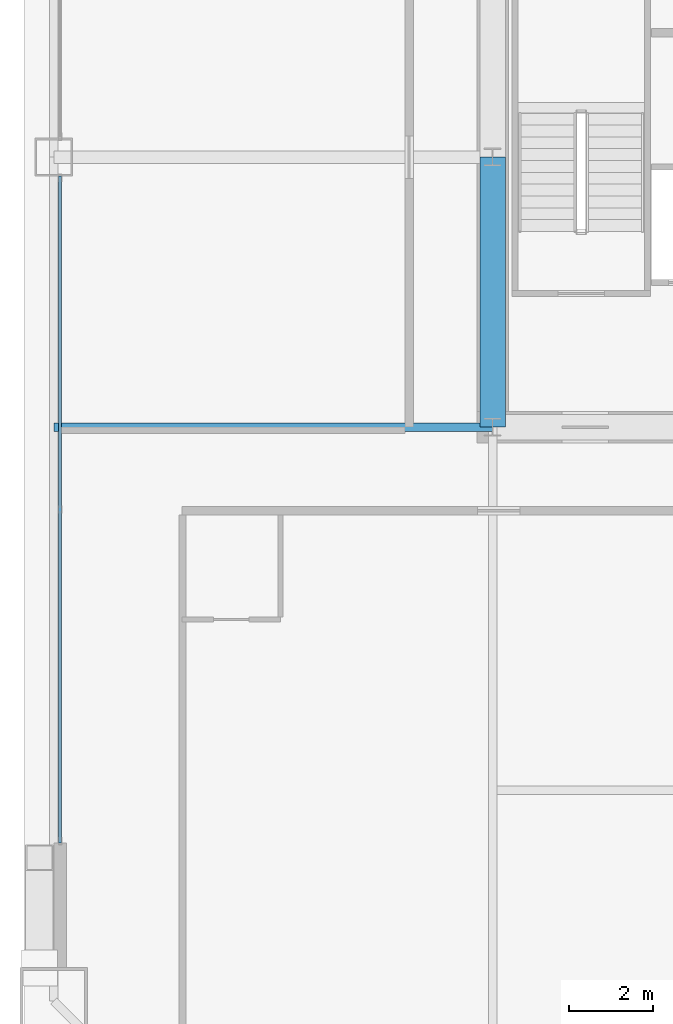
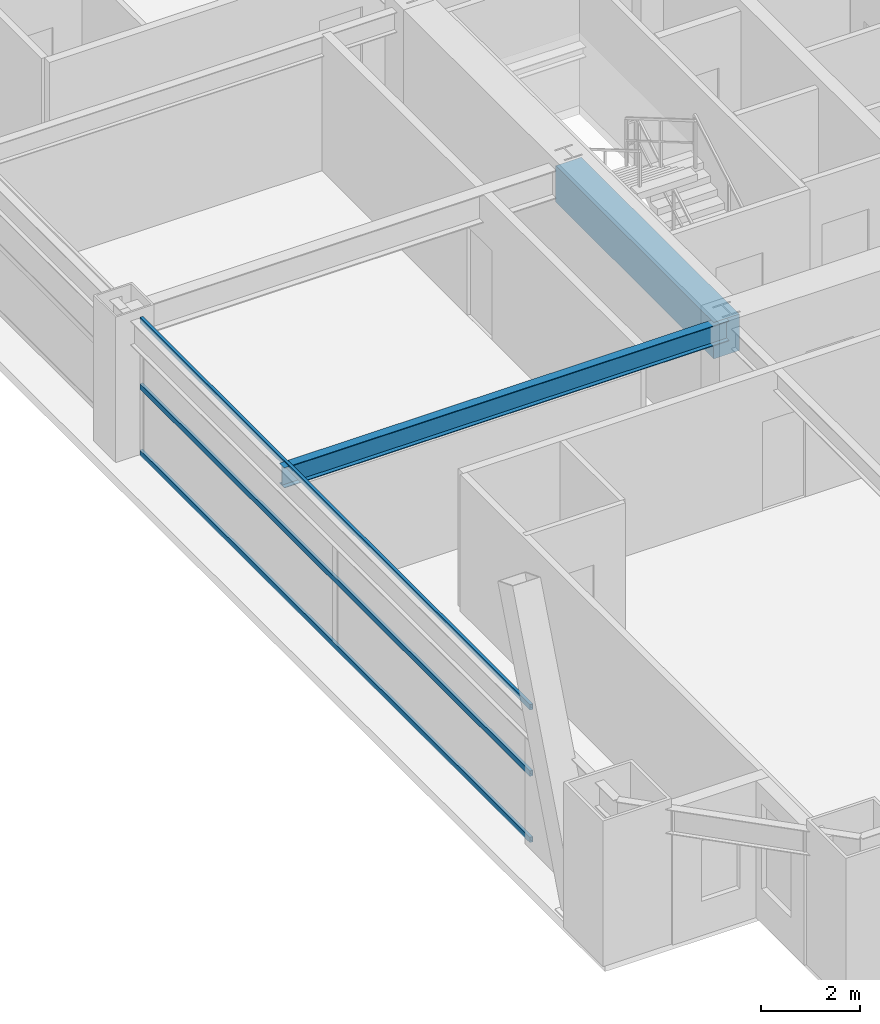
# One storey, part 11 of 43: 3 members, 2 beams, 1 element without a shape of its own.
"""IFC4 building model written with IfcOpenShell, lengths in metres."""

from ifc_helpers import new_model, si_unit, direction, frame, origin, origin_2d, place, context, subcontext, project, spatial, rectangle, hollow_rectangle, i_section, extrude, source, transform, mapped, material, layer, layer_set, material_profile, profile_set, type_object, element, aggregate, save


model = new_model("IFC4")

# Units and contexts
model_context = context("Model", 3, precision=1e-05, world=origin(), true_north=direction((0.0, 1.0)))
body_context = subcontext(model_context, "Body", "Model", "MODEL_VIEW")
ifc_project = project(units=[si_unit("LENGTHUNIT", "METRE"), si_unit("AREAUNIT", "SQUARE_METRE"), si_unit("VOLUMEUNIT", "CUBIC_METRE"), si_unit("PLANEANGLEUNIT", "RADIAN"), si_unit("MASSUNIT", "GRAM", prefix="KILO"), si_unit("THERMODYNAMICTEMPERATUREUNIT", "KELVIN"), si_unit("POWERUNIT", "WATT")], contexts=[model_context])

# Site, building, storey
site_placement = place(None, origin())
site = spatial("IfcSite", under=ifc_project, at=site_placement, CompositionType="ELEMENT")
building_placement = place(site_placement, origin())
building = spatial("IfcBuilding", under=site, at=building_placement, Name="Yuzanri Waterfront Tower", CompositionType="ELEMENT")
storey_placement = place(building_placement, frame((0.0, 0.0, 101.0)))
storey = spatial("IfcBuildingStorey", under=building, at=storey_placement, Name="L26", CompositionType="ELEMENT", Elevation=101.0)

# Beams
ifc_material_1 = material(Name="Concrete C60", Category="concrete")
ifc_material_profile_1 = material_profile(ifc_material_1, rectangle(XDim=0.60009765625, YDim=0.89990234375, at=origin_2d()), Name="RC 600x900")
ifc_profile_set_1 = profile_set([ifc_material_profile_1], Name="Concrete C60")
beam_type_1 = type_object("IfcBeamType", Name="Core Coupling Lintel Concrete C60 600x900", PredefinedType="LINTEL", material=ifc_profile_set_1)
shared_shape_1 = source(origin(), body_context, "Body", "SweptSolid", [
    extrude(rectangle(XDim=0.60009765625, YDim=0.89990234375, at=origin_2d()), origin(), (0.0, 0.0, 1.0), 6.400146484375),
])
beam_1_placement = place(storey_placement, frame((23.800048828125, 19.39990234375, 2.929931640625), z_axis=(0.0, 1.0, 0.0), x_axis=(-1.0, 0.0, 0.0)))
element("IfcBeam", 1, at=beam_1_placement, inside=storey, type_object=beam_type_1, Name="L26 Core Tie Beam CW1", PredefinedType="LINTEL", context=body_context, shape_type="MappedRepresentation", body=[
    mapped(shared_shape_1, transform((0.0, 0.0, 0.0), scale=1.0)),
])
ifc_material_2 = material(Name="Steel Q355B", Category="steel")
ifc_material_profile_2 = material_profile(ifc_material_2, i_section(OverallWidth=0.199951171875, OverallDepth=0.5, WebThickness=0.010009765625, FlangeThickness=0.01611328125, at=origin_2d()), Name="HN 500x200x10x16")
ifc_profile_set_2 = profile_set([ifc_material_profile_2], Name="Steel Q355B")
beam_type_2 = type_object("IfcBeamType", Name="Secondary Floor Beam Q355B HN 500x200", PredefinedType="BEAM", material=ifc_profile_set_2)
shared_shape_2 = source(origin(), body_context, "Body", "SweptSolid", [
    extrude(i_section(OverallWidth=0.199951171875, OverallDepth=0.5, WebThickness=0.010009765625, FlangeThickness=0.01611328125, at=origin_2d()), origin(), (0.0, 0.0, 1.0), 10.400146484375),
])
beam_2_placement = place(storey_placement, frame((23.800048828125, 19.39990234375, 3.1298828125), z_axis=(-1.0, 0.0, 0.0), x_axis=(0.0, -1.0, 0.0)))
element("IfcBeam", 2, at=beam_2_placement, inside=storey, type_object=beam_type_2, Name="L26 West-South Core Line Beam", PredefinedType="BEAM", context=body_context, shape_type="MappedRepresentation", body=[
    mapped(shared_shape_2, transform((0.0, 0.0, 0.0), scale=1.0)),
])

# Curtain wall, members
ifc_material_3 = material(Name="Anodized Architectural Bronze", Category="metal")
ifc_layer = layer(ifc_material_3, 0.159912109375)
ifc_layer_set = layer_set([ifc_layer], Name="Anodized Architectural Bronze")
curtain_wall_type = type_object("IfcCurtainWallType", Name="Anodized Bronze Hotel Upper-Tier Solar-Control Unitized Curtain Wall 7800", PredefinedType="NOTDEFINED", material=ifc_layer_set)
curtain_wall_placement = place(storey_placement, origin())
curtain_wall = element("IfcCurtainWall", 3, at=curtain_wall_placement, inside=storey, type_object=curtain_wall_type, Name="L26 Curtain Wall CW-L26-WL", PredefinedType="NOTDEFINED")
ifc_material_4 = material(Name="Anodized Architectural Bronze", Category="metal")
ifc_material_profile_3 = material_profile(ifc_material_4, hollow_rectangle(XDim=0.070068359375, YDim=0.135009765625, WallThickness=0.00341796875, at=origin_2d()), Name="CWT 70x135")
ifc_profile_set_3 = profile_set([ifc_material_profile_3], Name="Anodized Architectural Bronze")
member_type = type_object("IfcMemberType", Name="Anodized Bronze Standard Curtain-Wall Transom 70x135", PredefinedType="USERDEFINED", material=ifc_profile_set_3)
shared_shape_3 = source(origin(), body_context, "Body", "SweptSolid", [
    extrude(hollow_rectangle(XDim=0.070068359375, YDim=0.135009765625, WallThickness=0.00341796875, at=origin_2d()), origin(), (0.0, 0.0, 1.0), 15.800048828125),
])
member_1_placement = place(storey_placement, frame((13.550048828125, 9.550048828125, 0.050048828125), z_axis=(0.0, 1.0, 0.0), x_axis=(-1.0, 0.0, 0.0)))
member_1 = element("IfcMember", 4, at=member_1_placement, type_object=member_type, Name="CW-L26-WL Transom 1", ObjectType="TRANSOM", PredefinedType="USERDEFINED", context=body_context, shape_type="MappedRepresentation", body=[
    mapped(shared_shape_3, transform((0.0, 0.0, 0.0), scale=1.0)),
])
member_2_placement = place(storey_placement, frame((13.550048828125, 9.550048828125, 1.68994140625), z_axis=(0.0, 1.0, 0.0), x_axis=(-1.0, 0.0, 0.0)))
member_2 = element("IfcMember", 5, at=member_2_placement, type_object=member_type, Name="CW-L26-WL Transom 2", ObjectType="TRANSOM", PredefinedType="USERDEFINED", context=body_context, shape_type="MappedRepresentation", body=[
    mapped(shared_shape_3, transform((0.0, 0.0, 0.0), scale=1.0)),
])
member_3_placement = place(storey_placement, frame((13.550048828125, 9.550048828125, 3.330078125), z_axis=(0.0, 1.0, 0.0), x_axis=(-1.0, 0.0, 0.0)))
member_3 = element("IfcMember", 6, at=member_3_placement, type_object=member_type, Name="CW-L26-WL Transom 3", ObjectType="TRANSOM", PredefinedType="USERDEFINED", context=body_context, shape_type="MappedRepresentation", body=[
    mapped(shared_shape_3, transform((0.0, 0.0, 0.0), scale=1.0)),
])
aggregate(curtain_wall, [member_1, member_2, member_3])

save(model, "model.ifc")
